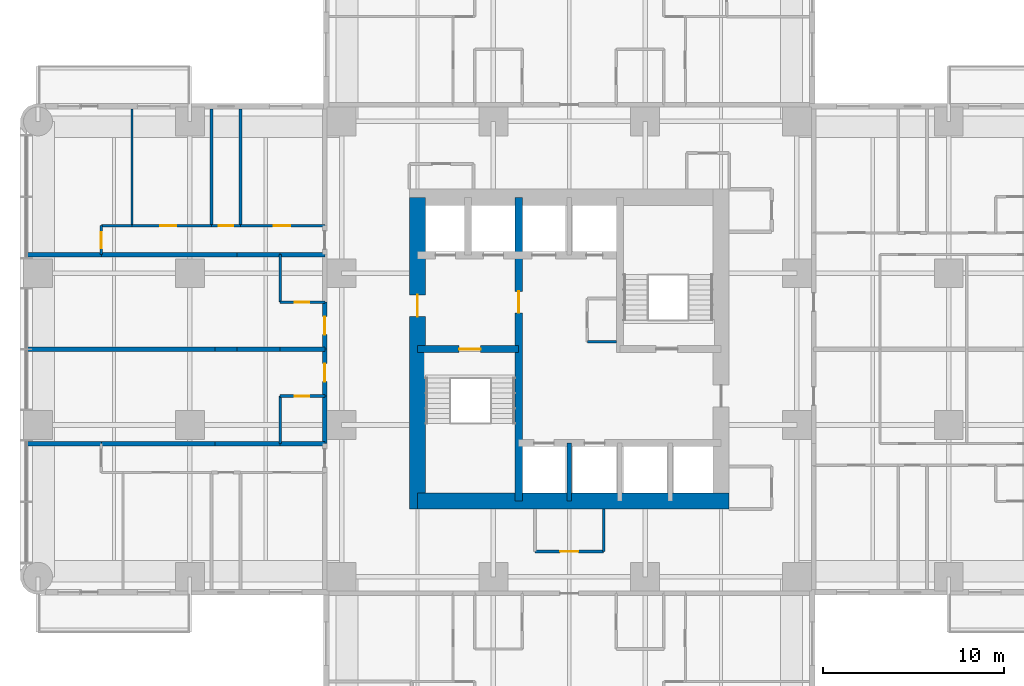
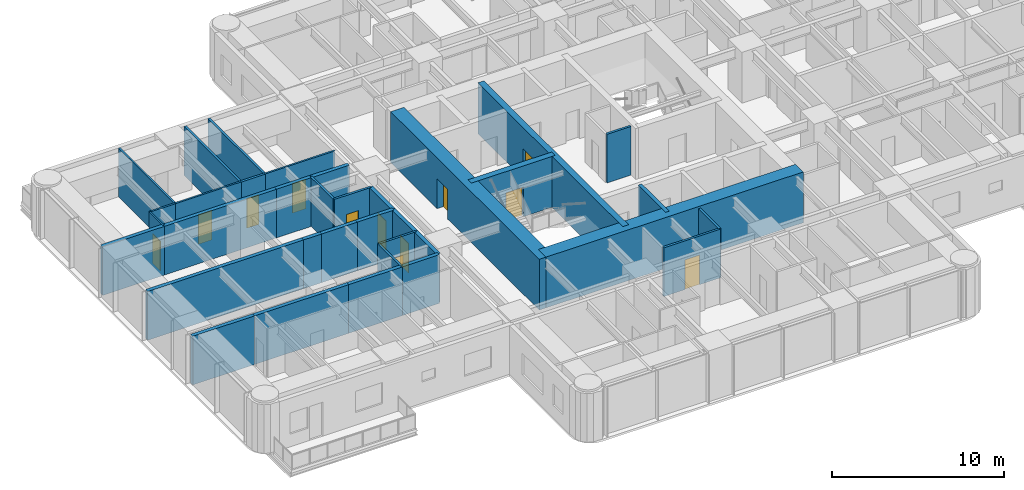
# One storey, part 7 of 14: 35 walls, 12 doors, 12 openings.
"""IFC4 building model written with IfcOpenShell, lengths in metres."""

from ifc_helpers import new_model, si_unit, direction, frame, frame_2d, origin, place, context, subcontext, project, spatial, rectangle, extrude, material, layer, layer_set, type_object, element, fill, save


model = new_model("IFC4")

# Units and contexts
model_context = context("Model", 3, precision=1e-05, world=origin(), true_north=direction((0.0, 1.0)))
body_context = subcontext(model_context, "Body", "Model", "MODEL_VIEW")
ifc_project = project(units=[si_unit("LENGTHUNIT", "METRE"), si_unit("AREAUNIT", "SQUARE_METRE"), si_unit("VOLUMEUNIT", "CUBIC_METRE"), si_unit("PLANEANGLEUNIT", "RADIAN"), si_unit("MASSUNIT", "GRAM", prefix="KILO")], contexts=[model_context])

# Site, building, storey
site_placement = place(None, origin())
site = spatial("IfcSite", under=ifc_project, at=site_placement, CompositionType="ELEMENT")
building_placement = place(site_placement, origin())
building = spatial("IfcBuilding", under=site, at=building_placement, Name="Torre Alcanfor", CompositionType="ELEMENT")
storey_placement = place(building_placement, frame((0.0, 0.0, 141.300048828125)))
storey = spatial("IfcBuildingStorey", under=building, at=storey_placement, Name="L36", CompositionType="ELEMENT", Elevation=141.300048828125)

# Wall, opening, door
ifc_material_1 = material(Name="Concrete block masonry, hollow blocks NMX-C-404 9 MPa", Category="masonry")
ifc_layer_1 = layer(ifc_material_1, 0.25)
ifc_layer_set_1 = layer_set([ifc_layer_1], Name="Apartment entrance wall 250 EI 60")
wall_type_1 = type_object("IfcWallType", Name="Apartment entrance wall 250 EI 60", PredefinedType="PARTITIONING", material=ifc_layer_set_1)
wall_1_placement = place(storey_placement, frame((15.875, 26.800048828125, 0.0), z_axis=(0.0, 0.0, 1.0), x_axis=(0.0, 1.0, 0.0)))
wall_1 = element("IfcWall", 1, at=wall_1_placement, inside=storey, type_object=wall_type_1, Name="Partition L36-CORR / L36-W1A-FOYER", PredefinedType="PARTITIONING", context=body_context, shape_type="SweptSolid", body=[
    extrude(rectangle(XDim=2.599853515625, YDim=0.25, at=frame_2d((1.2998046875, 0.0))), origin(), (0.0, 0.0, 1.0), 3.449951171875),
])
opening_1_placement = place(wall_1_placement, frame((0.800048828125, 0.0, 0.0)))
opening_1 = element("IfcOpeningElement", 2, at=opening_1_placement, cuts=wall_1, Name="Opening D-A1", PredefinedType="OPENING", context=body_context, shape_type="SweptSolid", body=[
    extrude(rectangle(XDim=1.0, YDim=2.10009765625, at=frame_2d((0.5, 1.050048828125))), frame((0.0, 0.135009765625, 0.0), z_axis=(0.0, -1.0, 0.0), x_axis=(1.0, 0.0, 0.0)), (0.0, 0.0, 1.0), 0.27001953125),
])
ifc_material_2 = material(Name="Galvanised steel sheet ASTM A653", Category="steel")
door_type_1 = type_object("IfcDoorType", Name="Apartment entrance door FD60 1000x2100", OperationType="SINGLE_SWING_LEFT", PredefinedType="DOOR", material=ifc_material_2)
door_1_placement = place(opening_1_placement, origin())
door_1 = element("IfcDoor", 3, at=door_1_placement, inside=storey, type_object=door_type_1, Name="Apartment entrance L36-W1A", OperationType="SINGLE_SWING_LEFT", OverallHeight=2.10009765625, OverallWidth=1.0, PredefinedType="DOOR", context=body_context, shape_type="SweptSolid", body=[
    extrude(rectangle(XDim=1.0, YDim=2.10009765625, at=frame_2d((0.5, 1.050048828125))), frame((0.0, 0.02490234375, 0.0), z_axis=(0.0, -1.0, 0.0), x_axis=(1.0, 0.0, 0.0)), (0.0, 0.0, 1.0), 0.050048828125),
])
fill(opening_1, door_1)

# Wall
wall_2_placement = place(storey_placement, frame((15.875, 24.1708984375, 0.0), z_axis=(0.0, 0.0, 1.0), x_axis=(0.0, 1.0, 0.0)))
element("IfcWall", 4, at=wall_2_placement, inside=storey, type_object=wall_type_1, Name="Partition L36-CORR / L36-W1A-BATH", PredefinedType="PARTITIONING", context=body_context, shape_type="SweptSolid", body=[
    extrude(rectangle(XDim=2.629150390625, YDim=0.25, at=frame_2d((1.314453125, 0.0))), origin(), (0.0, 0.0, 1.0), 3.449951171875),
])

# Wall, opening, door
wall_3_placement = place(storey_placement, frame((15.875, 29.39990234375, 0.0), z_axis=(0.0, 0.0, 1.0), x_axis=(0.0, 1.0, 0.0)))
wall_3 = element("IfcWall", 5, at=wall_3_placement, inside=storey, type_object=wall_type_1, Name="Partition L36-CORR / L36-W2A-FOYER", PredefinedType="PARTITIONING", context=body_context, shape_type="SweptSolid", body=[
    extrude(rectangle(XDim=2.60009765625, YDim=0.25, at=frame_2d((1.300048828125, 0.0))), origin(), (0.0, 0.0, 1.0), 3.449951171875),
])
opening_2_placement = place(wall_3_placement, frame((0.800048828125, 0.0, 0.0)))
opening_2 = element("IfcOpeningElement", 6, at=opening_2_placement, cuts=wall_3, Name="Opening D-A1", PredefinedType="OPENING", context=body_context, shape_type="SweptSolid", body=[
    extrude(rectangle(XDim=1.0, YDim=2.10009765625, at=frame_2d((0.5, 1.050048828125))), frame((0.0, 0.135009765625, 0.0), z_axis=(0.0, -1.0, 0.0), x_axis=(1.0, 0.0, 0.0)), (0.0, 0.0, 1.0), 0.27001953125),
])
door_2_placement = place(opening_2_placement, origin())
door_2 = element("IfcDoor", 7, at=door_2_placement, inside=storey, type_object=door_type_1, Name="Apartment entrance L36-W2A", OperationType="SINGLE_SWING_LEFT", OverallHeight=2.10009765625, OverallWidth=1.0, PredefinedType="DOOR", context=body_context, shape_type="SweptSolid", body=[
    extrude(rectangle(XDim=1.0, YDim=2.10009765625, at=frame_2d((0.5, 1.050048828125))), frame((0.0, 0.02490234375, 0.0), z_axis=(0.0, -1.0, 0.0), x_axis=(1.0, 0.0, 0.0)), (0.0, 0.0, 1.0), 0.050048828125),
])
fill(opening_2, door_2)

ifc_material_3 = material(Name="Gypsum board on steel studs", Category="steel")
ifc_layer_2 = layer(ifc_material_3, 0.1201171875)
ifc_layer_set_2 = layer_set([ifc_layer_2], Name="Apartment partition 120")
wall_type_2 = type_object("IfcWallType", Name="Apartment partition 120", PredefinedType="PARTITIONING", material=ifc_layer_set_2)
wall_4_placement = place(storey_placement, frame((11.199951171875, 36.22900390625, 0.0), z_axis=(0.0, 0.0, 1.0), x_axis=(1.0, 0.0, 0.0)))
wall_4 = element("IfcWall", 8, at=wall_4_placement, inside=storey, type_object=wall_type_2, Name="Partition L36-W2B-HALL / L36-W2B-MASTER", PredefinedType="PARTITIONING", context=body_context, shape_type="SweptSolid", body=[
    extrude(rectangle(XDim=4.675048828125, YDim=0.1201171875, at=frame_2d((2.33740234375, 0.0))), origin(), (0.0, 0.0, 1.0), 3.449951171875),
])
opening_3_placement = place(wall_4_placement, frame((1.85009765625, 0.0, 0.0)))
opening_3 = element("IfcOpeningElement", 9, at=opening_3_placement, cuts=wall_4, Name="Opening D-R1", PredefinedType="OPENING", context=body_context, shape_type="SweptSolid", body=[
    extrude(rectangle(XDim=0.89990234375, YDim=2.10009765625, at=frame_2d((0.449951171875, 1.050048828125))), frame((0.0, 0.070068359375, 0.0), z_axis=(0.0, -1.0, 0.0), x_axis=(1.0, 0.0, 0.0)), (0.0, 0.0, 1.0), 0.14013671875),
])
ifc_material_4 = material(Name="Timber", Category="wood")
door_type_2 = type_object("IfcDoorType", Name="Internal door 900x2100", OperationType="SINGLE_SWING_LEFT", PredefinedType="DOOR", material=ifc_material_4)
door_3_placement = place(opening_3_placement, origin())
door_3 = element("IfcDoor", 10, at=door_3_placement, inside=storey, type_object=door_type_2, Name="Door L36-W2B master", OperationType="SINGLE_SWING_LEFT", OverallHeight=2.10009765625, OverallWidth=0.89990234375, PredefinedType="DOOR", context=body_context, shape_type="SweptSolid", body=[
    extrude(rectangle(XDim=0.89990234375, YDim=2.10009765625, at=frame_2d((0.449951171875, 1.050048828125))), frame((0.0, 0.02490234375, 0.0), z_axis=(0.0, -1.0, 0.0), x_axis=(1.0, 0.0, 0.0)), (0.0, 0.0, 1.0), 0.050048828125),
])
fill(opening_3, door_3)

wall_5_placement = place(storey_placement, frame((5.199951171875, 36.22900390625, 0.0), z_axis=(0.0, 0.0, 1.0), x_axis=(1.0, 0.0, 0.0)))
wall_5 = element("IfcWall", 11, at=wall_5_placement, inside=storey, type_object=wall_type_2, Name="Partition L36-W2B-HALL / L36-W2B-STUDY", PredefinedType="PARTITIONING", context=body_context, shape_type="SweptSolid", body=[
    extrude(rectangle(XDim=4.400146484375, YDim=0.1201171875, at=frame_2d((2.2001953125, 0.0))), origin(), (0.0, 0.0, 1.0), 3.449951171875),
])
opening_4_placement = place(wall_5_placement, frame((1.550048828125, 0.0, 0.0)))
opening_4 = element("IfcOpeningElement", 12, at=opening_4_placement, cuts=wall_5, Name="Opening D-R1", PredefinedType="OPENING", context=body_context, shape_type="SweptSolid", body=[
    extrude(rectangle(XDim=0.89990234375, YDim=2.10009765625, at=frame_2d((0.449951171875, 1.050048828125))), frame((0.0, 0.070068359375, 0.0), z_axis=(0.0, -1.0, 0.0), x_axis=(1.0, 0.0, 0.0)), (0.0, 0.0, 1.0), 0.14013671875),
])
door_4_placement = place(opening_4_placement, origin())
door_4 = element("IfcDoor", 13, at=door_4_placement, inside=storey, type_object=door_type_2, Name="Door L36-W2B study", OperationType="SINGLE_SWING_LEFT", OverallHeight=2.10009765625, OverallWidth=0.89990234375, PredefinedType="DOOR", context=body_context, shape_type="SweptSolid", body=[
    extrude(rectangle(XDim=0.89990234375, YDim=2.10009765625, at=frame_2d((0.449951171875, 1.050048828125))), frame((0.0, 0.02490234375, 0.0), z_axis=(0.0, -1.0, 0.0), x_axis=(1.0, 0.0, 0.0)), (0.0, 0.0, 1.0), 0.050048828125),
])
fill(opening_4, door_4)

# Wall
wall_6_placement = place(storey_placement, frame((3.5, 36.22900390625, 0.0), z_axis=(0.0, 0.0, 1.0), x_axis=(1.0, 0.0, 0.0)))
element("IfcWall", 14, at=wall_6_placement, inside=storey, type_object=wall_type_2, Name="Partition L36-W2B-HALL / L36-W2B-KITCHEN", PredefinedType="PARTITIONING", context=body_context, shape_type="SweptSolid", body=[
    extrude(rectangle(XDim=1.699951171875, YDim=0.1201171875, at=frame_2d((0.85009765625, 0.0))), origin(), (0.0, 0.0, 1.0), 3.449951171875),
])

# Wall, opening, door
wall_7_placement = place(storey_placement, frame((3.5, 34.62890625, 0.0), z_axis=(0.0, 0.0, 1.0), x_axis=(0.0, 1.0, 0.0)))
wall_7 = element("IfcWall", 15, at=wall_7_placement, inside=storey, type_object=wall_type_2, Name="Partition L36-W2B-HALL / L36-W2B-LIVING", PredefinedType="PARTITIONING", context=body_context, shape_type="SweptSolid", body=[
    extrude(rectangle(XDim=1.60009765625, YDim=0.1201171875, at=frame_2d((0.800048828125, 0.0))), origin(), (0.0, 0.0, 1.0), 3.449951171875),
])
opening_5_placement = place(wall_7_placement, frame((0.35009765625, 0.0, 0.0)))
opening_5 = element("IfcOpeningElement", 16, at=opening_5_placement, cuts=wall_7, Name="Opening D-R1", PredefinedType="OPENING", context=body_context, shape_type="SweptSolid", body=[
    extrude(rectangle(XDim=0.89990234375, YDim=2.10009765625, at=frame_2d((0.449951171875, 1.050048828125))), frame((0.0, 0.070068359375, 0.0), z_axis=(0.0, -1.0, 0.0), x_axis=(1.0, 0.0, 0.0)), (0.0, 0.0, 1.0), 0.14013671875),
])
door_5_placement = place(opening_5_placement, origin())
door_5 = element("IfcDoor", 17, at=door_5_placement, inside=storey, type_object=door_type_2, Name="Door L36-W2B living", OperationType="SINGLE_SWING_LEFT", OverallHeight=2.10009765625, OverallWidth=0.89990234375, PredefinedType="DOOR", context=body_context, shape_type="SweptSolid", body=[
    extrude(rectangle(XDim=0.89990234375, YDim=2.10009765625, at=frame_2d((0.449951171875, 1.050048828125))), frame((0.0, 0.02490234375, 0.0), z_axis=(0.0, -1.0, 0.0), x_axis=(1.0, 0.0, 0.0)), (0.0, 0.0, 1.0), 0.050048828125),
])
fill(opening_5, door_5)

# Wall
wall_8_placement = place(storey_placement, frame((5.199951171875, 36.22900390625, 0.0), z_axis=(0.0, 0.0, 1.0), x_axis=(0.0, 1.0, 0.0)))
element("IfcWall", 18, at=wall_8_placement, inside=storey, type_object=wall_type_2, Name="Partition L36-W2B-STUDY / L36-W2B-KITCHEN", PredefinedType="PARTITIONING", context=body_context, shape_type="SweptSolid", body=[
    extrude(rectangle(XDim=6.470947265625, YDim=0.1201171875, at=frame_2d((3.2353515625, 0.0))), origin(), (0.0, 0.0, 1.0), 3.449951171875),
])

# Wall, opening, door
ifc_material_5 = material(Name="Concrete f'c 70 MPa", Category="concrete")
ifc_layer_3 = layer(ifc_material_5, 0.39990234375)
ifc_layer_set_3 = layer_set([ifc_layer_3], Name="Core inner wall 400 f'c70")
wall_type_3 = type_object("IfcWallType", Name="Core inner wall 400 f'c70", PredefinedType="SHEAR", material=ifc_layer_set_3)
wall_9_placement = place(storey_placement, frame((26.60009765625, 21.0, 0.0), z_axis=(0.0, 0.0, 1.0), x_axis=(0.0, 1.0, 0.0)))
wall_9 = element("IfcWall", 19, at=wall_9_placement, inside=storey, type_object=wall_type_3, Name="Core wall X266 L36", PredefinedType="SHEAR", context=body_context, shape_type="SweptSolid", body=[
    extrude(rectangle(XDim=16.800048828125, YDim=0.39990234375, at=frame_2d((8.39990234375, 0.0))), origin(), (0.0, 0.0, 1.0), 3.599853515625),
])
opening_6_placement = place(wall_9_placement, frame((10.39990234375, 0.0, 0.0)))
opening_6 = element("IfcOpeningElement", 20, at=opening_6_placement, cuts=wall_9, Name="Opening D-L1", PredefinedType="OPENING", context=body_context, shape_type="SweptSolid", body=[
    extrude(rectangle(XDim=1.199951171875, YDim=2.10009765625, at=frame_2d((0.60009765625, 1.050048828125))), frame((0.0, 0.2099609375, 0.0), z_axis=(0.0, -1.0, 0.0), x_axis=(1.0, 0.0, 0.0)), (0.0, 0.0, 1.0), 0.419921875),
])
ifc_material_6 = material(Name="Galvanised steel sheet ASTM A653", Category="steel")
door_type_3 = type_object("IfcDoorType", Name="Lobby door FD120 1200x2100", OperationType="SINGLE_SWING_LEFT", PredefinedType="DOOR", material=ifc_material_6)
door_6_placement = place(opening_6_placement, origin())
door_6 = element("IfcDoor", 21, at=door_6_placement, inside=storey, type_object=door_type_3, Name="Lift lobby door L36", OperationType="SINGLE_SWING_LEFT", OverallHeight=2.10009765625, OverallWidth=1.199951171875, PredefinedType="DOOR", context=body_context, shape_type="SweptSolid", body=[
    extrude(rectangle(XDim=1.199951171875, YDim=2.10009765625, at=frame_2d((0.60009765625, 1.050048828125))), frame((0.0, 0.02490234375, 0.0), z_axis=(0.0, -1.0, 0.0), x_axis=(1.0, 0.0, 0.0)), (0.0, 0.0, 1.0), 0.050048828125),
])
fill(opening_6, door_6)

wall_10_placement = place(storey_placement, frame((21.0, 29.39990234375, 0.0), z_axis=(0.0, 0.0, 1.0), x_axis=(1.0, 0.0, 0.0)))
wall_10 = element("IfcWall", 22, at=wall_10_placement, inside=storey, type_object=wall_type_3, Name="Core wall Y294W L36", PredefinedType="SHEAR", context=body_context, shape_type="SweptSolid", body=[
    extrude(rectangle(XDim=5.60009765625, YDim=0.39990234375, at=frame_2d((2.800048828125, 0.0))), origin(), (0.0, 0.0, 1.0), 3.599853515625),
])
opening_7_placement = place(wall_10_placement, frame((2.300048828125, 0.0, 0.0)))
opening_7 = element("IfcOpeningElement", 23, at=opening_7_placement, cuts=wall_10, Name="Opening D-S2", PredefinedType="OPENING", context=body_context, shape_type="SweptSolid", body=[
    extrude(rectangle(XDim=1.199951171875, YDim=2.10009765625, at=frame_2d((0.60009765625, 1.050048828125))), frame((0.0, 0.2099609375, 0.0), z_axis=(0.0, -1.0, 0.0), x_axis=(1.0, 0.0, 0.0)), (0.0, 0.0, 1.0), 0.419921875),
])
ifc_material_7 = material(Name="Galvanised steel sheet ASTM A653", Category="steel")
door_type_4 = type_object("IfcDoorType", Name="Stair enclosure door FD120 1200x2100", OperationType="SINGLE_SWING_LEFT", PredefinedType="DOOR", material=ifc_material_7)
door_7_placement = place(opening_7_placement, frame((1.199951171875, 0.0, 0.0), z_axis=(0.0, 0.0, 1.0), x_axis=(-1.0, 0.0, 0.0)))
door_7 = element("IfcDoor", 24, at=door_7_placement, inside=storey, type_object=door_type_4, Name="Stair S1 door L36", OperationType="SINGLE_SWING_LEFT", OverallHeight=2.10009765625, OverallWidth=1.199951171875, PredefinedType="DOOR", context=body_context, shape_type="SweptSolid", body=[
    extrude(rectangle(XDim=1.199951171875, YDim=2.10009765625, at=frame_2d((0.599853515625, 1.050048828125))), frame((0.0, 0.025146484375, 0.0), z_axis=(0.0, -1.0, 0.0), x_axis=(1.0, 0.0, 0.0)), (0.0, 0.0, 1.0), 0.050048828125),
])
fill(opening_7, door_7)

# Walls
ifc_material_8 = material(Name="Concrete f'c 70 MPa", Category="concrete")
ifc_layer_4 = layer(ifc_material_8, 0.25)
ifc_layer_set_4 = layer_set([ifc_layer_4], Name="Core shaft wall 250 f'c70")
wall_type_4 = type_object("IfcWallType", Name="Core shaft wall 250 f'c70", PredefinedType="SHEAR", material=ifc_layer_set_4)
wall_11_placement = place(storey_placement, frame((29.39990234375, 21.0, 0.0), z_axis=(0.0, 0.0, 1.0), x_axis=(0.0, 1.0, 0.0)))
element("IfcWall", 25, at=wall_11_placement, inside=storey, type_object=wall_type_4, Name="Core wall X294S L36", PredefinedType="SHEAR", context=body_context, shape_type="SweptSolid", body=[
    extrude(rectangle(XDim=3.199951171875, YDim=0.25, at=frame_2d((1.60009765625, 0.0))), origin(), (0.0, 0.0, 1.0), 3.599853515625),
])
ifc_material_9 = material(Name="Concrete f'c 70 MPa", Category="concrete")
ifc_layer_5 = layer(ifc_material_9, 0.89990234375)
ifc_layer_set_5 = layer_set([ifc_layer_5], Name="Core wall 900 f'c70")
wall_type_5 = type_object("IfcWallType", Name="Core wall 900 f'c70", PredefinedType="SHEAR", material=ifc_layer_set_5)
wall_12_placement = place(storey_placement, frame((21.0, 21.0, 0.0), z_axis=(0.0, 0.0, 1.0), x_axis=(1.0, 0.0, 0.0)))
element("IfcWall", 26, at=wall_12_placement, inside=storey, type_object=wall_type_5, Name="Core wall OUT-S L36", PredefinedType="SHEAR", context=body_context, shape_type="SweptSolid", body=[
    extrude(rectangle(XDim=17.25, YDim=0.89990234375, at=frame_2d((8.625, 0.0))), origin(), (0.0, 0.0, 1.0), 3.599853515625),
])

# Wall, opening, door
wall_13_placement = place(storey_placement, frame((21.0, 37.800048828125, 0.0), z_axis=(0.0, 0.0, 1.0), x_axis=(0.0, -1.0, 0.0)))
wall_13 = element("IfcWall", 27, at=wall_13_placement, inside=storey, type_object=wall_type_5, Name="Core wall OUT-W L36", PredefinedType="SHEAR", context=body_context, shape_type="SweptSolid", body=[
    extrude(rectangle(XDim=17.25, YDim=0.89990234375, at=frame_2d((8.625, 0.0))), origin(), (0.0, 0.0, 1.0), 3.599853515625),
])
opening_8_placement = place(wall_13_placement, frame((5.39990234375, 0.0, 0.0)))
opening_8 = element("IfcOpeningElement", 28, at=opening_8_placement, cuts=wall_13, Name="Opening D-L1", PredefinedType="OPENING", context=body_context, shape_type="SweptSolid", body=[
    extrude(rectangle(XDim=1.199951171875, YDim=2.10009765625, at=frame_2d((0.60009765625, 1.050048828125))), frame((0.0, 0.4599609375, 0.0), z_axis=(0.0, -1.0, 0.0), x_axis=(1.0, 0.0, 0.0)), (0.0, 0.0, 1.0), 0.919921875),
])
door_8_placement = place(opening_8_placement, origin())
door_8 = element("IfcDoor", 29, at=door_8_placement, inside=storey, type_object=door_type_3, Name="Firefighting lobby door L36", OperationType="SINGLE_SWING_LEFT", OverallHeight=2.10009765625, OverallWidth=1.199951171875, PredefinedType="DOOR", context=body_context, shape_type="SweptSolid", body=[
    extrude(rectangle(XDim=1.199951171875, YDim=2.10009765625, at=frame_2d((0.60009765625, 1.050048828125))), frame((0.0, 0.02490234375, 0.0), z_axis=(0.0, -1.0, 0.0), x_axis=(1.0, 0.0, 0.0)), (0.0, 0.0, 1.0), 0.050048828125),
])
fill(opening_8, door_8)

# Walls
ifc_material_10 = material(Name="Concrete block masonry, hollow blocks NMX-C-404 9 MPa", Category="masonry")
ifc_layer_6 = layer(ifc_material_10, 0.25)
ifc_layer_set_6 = layer_set([ifc_layer_6], Name="Party wall 250 EI 60")
wall_type_6 = type_object("IfcWallType", Name="Party wall 250 EI 60", PredefinedType="PARTITIONING", material=ifc_layer_set_6)
for number, where, z_axis, x_axis, name in (
    (30, (15.875, 29.39990234375, 0.0), (0.0, 0.0, 1.0), (-1.0, 0.0, 0.0), "Partition L36-W1A-FOYER / L36-W2A-FOYER"),
    (31, (13.39990234375, 24.1708984375, 0.0), (0.0, 0.0, 1.0), (1.0, 0.0, 0.0), "Partition L36-W1A-BATH / L36-W1B-HALL"),
):
    element("IfcWall", number, at=place(storey_placement, frame(where, z_axis=z_axis, x_axis=x_axis)), inside=storey, type_object=wall_type_6, Name=name, PredefinedType="PARTITIONING", context=body_context, shape_type="SweptSolid", body=[
        extrude(rectangle(XDim=2.47509765625, YDim=0.25, at=frame_2d((1.237548828125, 0.0))), origin(), (0.0, 0.0, 1.0), 3.449951171875),
    ])
wall_14_placement = place(storey_placement, frame((9.800048828125, 24.1708984375, 0.0), z_axis=(0.0, 0.0, 1.0), x_axis=(1.0, 0.0, 0.0)))
element("IfcWall", 32, at=wall_14_placement, inside=storey, type_object=wall_type_6, Name="Partition L36-W1A-KITCHEN / L36-W1B-HALL", PredefinedType="PARTITIONING", context=body_context, shape_type="SweptSolid", body=[
    extrude(rectangle(XDim=3.599853515625, YDim=0.25, at=frame_2d((1.7998046875, 0.0))), origin(), (0.0, 0.0, 1.0), 3.449951171875),
])
wall_15_placement = place(storey_placement, frame((13.39990234375, 29.39990234375, 0.0), z_axis=(0.0, 0.0, 1.0), x_axis=(-1.0, 0.0, 0.0)))
element("IfcWall", 33, at=wall_15_placement, inside=storey, type_object=wall_type_6, Name="Partition L36-W1A-KITCHEN / L36-W2A-KITCHEN", PredefinedType="PARTITIONING", context=body_context, shape_type="SweptSolid", body=[
    extrude(rectangle(XDim=2.39990234375, YDim=0.25, at=frame_2d((1.199951171875, 0.0))), origin(), (0.0, 0.0, 1.0), 3.449951171875),
])
wall_16_placement = place(storey_placement, frame((11.0, 29.39990234375, 0.0), z_axis=(0.0, 0.0, 1.0), x_axis=(-1.0, 0.0, 0.0)))
element("IfcWall", 34, at=wall_16_placement, inside=storey, type_object=wall_type_6, Name="Partition L36-W1A-KITCHEN / L36-W2A-STUDIO", PredefinedType="PARTITIONING", context=body_context, shape_type="SweptSolid", body=[
    extrude(rectangle(XDim=1.199951171875, YDim=0.25, at=frame_2d((0.60009765625, 0.0))), origin(), (0.0, 0.0, 1.0), 3.449951171875),
])
wall_17_placement = place(storey_placement, frame((3.5, 24.1708984375, 0.0), z_axis=(0.0, 0.0, 1.0), x_axis=(1.0, 0.0, 0.0)))
element("IfcWall", 35, at=wall_17_placement, inside=storey, type_object=wall_type_6, Name="Partition L36-W1A-STUDIO / L36-W1B-HALL", PredefinedType="PARTITIONING", context=body_context, shape_type="SweptSolid", body=[
    extrude(rectangle(XDim=6.300048828125, YDim=0.25, at=frame_2d((3.14990234375, 0.0))), origin(), (0.0, 0.0, 1.0), 3.449951171875),
])
wall_18_placement = place(storey_placement, frame((-0.64990234375, 24.1708984375, 0.0), z_axis=(0.0, 0.0, 1.0), x_axis=(1.0, 0.0, 0.0)))
element("IfcWall", 36, at=wall_18_placement, inside=storey, type_object=wall_type_6, Name="Partition L36-W1A-STUDIO / L36-W1B-LIVING", PredefinedType="PARTITIONING", context=body_context, shape_type="SweptSolid", body=[
    extrude(rectangle(XDim=4.14990234375, YDim=0.25, at=frame_2d((2.074951171875, 0.0))), origin(), (0.0, 0.0, 1.0), 3.449951171875),
])
wall_19_placement = place(storey_placement, frame((9.800048828125, 29.39990234375, 0.0), z_axis=(0.0, 0.0, 1.0), x_axis=(-1.0, 0.0, 0.0)))
element("IfcWall", 37, at=wall_19_placement, inside=storey, type_object=wall_type_6, Name="Partition L36-W1A-STUDIO / L36-W2A-STUDIO", PredefinedType="PARTITIONING", context=body_context, shape_type="SweptSolid", body=[
    extrude(rectangle(XDim=10.449951171875, YDim=0.25, at=frame_2d((5.22509765625, 0.0))), origin(), (0.0, 0.0, 1.0), 3.449951171875),
])
wall_20_placement = place(storey_placement, frame((13.39990234375, 34.62890625, 0.0), z_axis=(0.0, 0.0, 1.0), x_axis=(1.0, 0.0, 0.0)))
element("IfcWall", 38, at=wall_20_placement, inside=storey, type_object=wall_type_6, Name="Partition L36-W2A-BATH / L36-W2B-HALL", PredefinedType="PARTITIONING", context=body_context, shape_type="SweptSolid", body=[
    extrude(rectangle(XDim=2.47509765625, YDim=0.25, at=frame_2d((1.237548828125, 0.0))), origin(), (0.0, 0.0, 1.0), 3.449951171875),
])
wall_21_placement = place(storey_placement, frame((11.0, 34.62890625, 0.0), z_axis=(0.0, 0.0, 1.0), x_axis=(1.0, 0.0, 0.0)))
element("IfcWall", 39, at=wall_21_placement, inside=storey, type_object=wall_type_6, Name="Partition L36-W2A-KITCHEN / L36-W2B-HALL", PredefinedType="PARTITIONING", context=body_context, shape_type="SweptSolid", body=[
    extrude(rectangle(XDim=2.39990234375, YDim=0.25, at=frame_2d((1.199951171875, 0.0))), origin(), (0.0, 0.0, 1.0), 3.449951171875),
])
wall_22_placement = place(storey_placement, frame((3.5, 34.62890625, 0.0), z_axis=(0.0, 0.0, 1.0), x_axis=(1.0, 0.0, 0.0)))
element("IfcWall", 40, at=wall_22_placement, inside=storey, type_object=wall_type_6, Name="Partition L36-W2A-STUDIO / L36-W2B-HALL", PredefinedType="PARTITIONING", context=body_context, shape_type="SweptSolid", body=[
    extrude(rectangle(XDim=7.5, YDim=0.25, at=frame_2d((3.75, 0.0))), origin(), (0.0, 0.0, 1.0), 3.449951171875),
])
wall_23_placement = place(storey_placement, frame((-0.64990234375, 34.62890625, 0.0), z_axis=(0.0, 0.0, 1.0), x_axis=(1.0, 0.0, 0.0)))
element("IfcWall", 41, at=wall_23_placement, inside=storey, type_object=wall_type_6, Name="Partition L36-W2A-STUDIO / L36-W2B-LIVING", PredefinedType="PARTITIONING", context=body_context, shape_type="SweptSolid", body=[
    extrude(rectangle(XDim=4.14990234375, YDim=0.25, at=frame_2d((2.074951171875, 0.0))), origin(), (0.0, 0.0, 1.0), 3.449951171875),
])

# Wall, opening, door
ifc_material_11 = material(Name="Concrete block masonry, hollow blocks NMX-C-404 9 MPa", Category="masonry")
ifc_layer_7 = layer(ifc_material_11, 0.14990234375)
ifc_layer_set_7 = layer_set([ifc_layer_7], Name="Residents' room partition 150")
wall_type_7 = type_object("IfcWallType", Name="Residents' room partition 150", PredefinedType="PARTITIONING", material=ifc_layer_set_7)
wall_24_placement = place(storey_placement, frame((27.5, 18.199951171875, 0.0), z_axis=(0.0, 0.0, 1.0), x_axis=(1.0, 0.0, 0.0)))
wall_24 = element("IfcWall", 42, at=wall_24_placement, inside=storey, type_object=wall_type_7, Name="Partition L36-CORR / L36-G05", PredefinedType="PARTITIONING", context=body_context, shape_type="SweptSolid", body=[
    extrude(rectangle(XDim=3.800048828125, YDim=0.14990234375, at=frame_2d((1.89990234375, 0.0))), origin(), (0.0, 0.0, 1.0), 3.449951171875),
])
opening_9_placement = place(wall_24_placement, frame((1.39990234375, 0.0, 0.0)))
opening_9 = element("IfcOpeningElement", 43, at=opening_9_placement, cuts=wall_24, Name="Opening D-M1", PredefinedType="OPENING", context=body_context, shape_type="SweptSolid", body=[
    extrude(rectangle(XDim=1.0, YDim=2.10009765625, at=frame_2d((0.5, 1.050048828125))), frame((0.0, 0.0849609375, 0.0), z_axis=(0.0, -1.0, 0.0), x_axis=(1.0, 0.0, 0.0)), (0.0, 0.0, 1.0), 0.169921875),
])
ifc_material_12 = material(Name="Timber", Category="wood")
door_type_5 = type_object("IfcDoorType", Name="Residents' room door 1000x2100", OperationType="SINGLE_SWING_LEFT", PredefinedType="DOOR", material=ifc_material_12)
door_9_placement = place(opening_9_placement, origin())
door_9 = element("IfcDoor", 44, at=door_9_placement, inside=storey, type_object=door_type_5, Name="Door L36-G05 cleaners' store", OperationType="SINGLE_SWING_LEFT", OverallHeight=2.10009765625, OverallWidth=1.0, PredefinedType="DOOR", context=body_context, shape_type="SweptSolid", body=[
    extrude(rectangle(XDim=1.0, YDim=2.10009765625, at=frame_2d((0.5, 1.050048828125))), frame((0.0, 0.02490234375, 0.0), z_axis=(0.0, -1.0, 0.0), x_axis=(1.0, 0.0, 0.0)), (0.0, 0.0, 1.0), 0.050048828125),
])
fill(opening_9, door_9)

# Walls
wall_25_placement = place(storey_placement, frame((31.300048828125, 18.199951171875, 0.0), z_axis=(0.0, 0.0, 1.0), x_axis=(0.0, 1.0, 0.0)))
element("IfcWall", 45, at=wall_25_placement, inside=storey, type_object=wall_type_7, Name="Partition L36-CORR / L36-G05", PredefinedType="PARTITIONING", context=body_context, shape_type="SweptSolid", body=[
    extrude(rectangle(XDim=2.35009765625, YDim=0.14990234375, at=frame_2d((1.175048828125, 0.0))), origin(), (0.0, 0.0, 1.0), 3.449951171875),
])
wall_26_placement = place(storey_placement, frame((32.0, 29.800048828125, 0.0), z_axis=(0.0, 0.0, 1.0), x_axis=(-1.0, 0.0, 0.0)))
element("IfcWall", 46, at=wall_26_placement, inside=storey, type_object=wall_type_7, Name="Partition L36-LL / L36-CR1", PredefinedType="PARTITIONING", context=body_context, shape_type="SweptSolid", body=[
    extrude(rectangle(XDim=1.60009765625, YDim=0.14990234375, at=frame_2d((0.800048828125, 0.0))), origin(), (0.0, 0.0, 1.0), 3.449951171875),
])

# Wall, opening, door
ifc_material_13 = material(Name="Cement board on steel studs", Category="steel")
ifc_layer_8 = layer(ifc_material_13, 0.14990234375)
ifc_layer_set_8 = layer_set([ifc_layer_8], Name="Wet area partition 150")
wall_type_8 = type_object("IfcWallType", Name="Wet area partition 150", PredefinedType="PARTITIONING", material=ifc_layer_set_8)
wall_27_placement = place(storey_placement, frame((13.39990234375, 26.800048828125, 0.0), z_axis=(0.0, 0.0, 1.0), x_axis=(1.0, 0.0, 0.0)))
wall_27 = element("IfcWall", 47, at=wall_27_placement, inside=storey, type_object=wall_type_8, Name="Partition L36-W1A-FOYER / L36-W1A-BATH", PredefinedType="PARTITIONING", context=body_context, shape_type="SweptSolid", body=[
    extrude(rectangle(XDim=2.47509765625, YDim=0.14990234375, at=frame_2d((1.237548828125, 0.0))), origin(), (0.0, 0.0, 1.0), 3.449951171875),
])
opening_10_placement = place(wall_27_placement, frame((0.800048828125, 0.0, 0.0)))
opening_10 = element("IfcOpeningElement", 48, at=opening_10_placement, cuts=wall_27, Name="Opening D-R2", PredefinedType="OPENING", context=body_context, shape_type="SweptSolid", body=[
    extrude(rectangle(XDim=0.800048828125, YDim=2.10009765625, at=frame_2d((0.39990234375, 1.050048828125))), frame((0.0, 0.0849609375, 0.0), z_axis=(0.0, -1.0, 0.0), x_axis=(1.0, 0.0, 0.0)), (0.0, 0.0, 1.0), 0.169921875),
])
ifc_material_14 = material(Name="Timber", Category="wood")
door_type_6 = type_object("IfcDoorType", Name="Bathroom door 800x2100", OperationType="SINGLE_SWING_LEFT", PredefinedType="DOOR", material=ifc_material_14)
door_10_placement = place(opening_10_placement, frame((0.800048828125, 0.0, 0.0), z_axis=(0.0, 0.0, 1.0), x_axis=(-1.0, 0.0, 0.0)))
door_10 = element("IfcDoor", 49, at=door_10_placement, inside=storey, type_object=door_type_6, Name="Door L36-W1A bath", OperationType="SINGLE_SWING_RIGHT", OverallHeight=2.10009765625, OverallWidth=0.800048828125, PredefinedType="DOOR", context=body_context, shape_type="SweptSolid", body=[
    extrude(rectangle(XDim=0.800048828125, YDim=2.10009765625, at=frame_2d((0.400146484375, 1.050048828125))), frame((0.0, 0.025146484375, 0.0), z_axis=(0.0, -1.0, 0.0), x_axis=(1.0, 0.0, 0.0)), (0.0, 0.0, 1.0), 0.050048828125),
])
fill(opening_10, door_10)

# Wall
wall_28_placement = place(storey_placement, frame((13.39990234375, 26.800048828125, 0.0), z_axis=(0.0, 0.0, 1.0), x_axis=(0.0, -1.0, 0.0)))
element("IfcWall", 50, at=wall_28_placement, inside=storey, type_object=wall_type_8, Name="Partition L36-W1A-BATH / L36-W1A-KITCHEN", PredefinedType="PARTITIONING", context=body_context, shape_type="SweptSolid", body=[
    extrude(rectangle(XDim=2.629150390625, YDim=0.14990234375, at=frame_2d((1.314453125, 0.0))), origin(), (0.0, 0.0, 1.0), 3.449951171875),
])

# Wall, opening, door
wall_29_placement = place(storey_placement, frame((13.39990234375, 32.0, 0.0), z_axis=(0.0, 0.0, 1.0), x_axis=(1.0, 0.0, 0.0)))
wall_29 = element("IfcWall", 51, at=wall_29_placement, inside=storey, type_object=wall_type_8, Name="Partition L36-W2A-FOYER / L36-W2A-BATH", PredefinedType="PARTITIONING", context=body_context, shape_type="SweptSolid", body=[
    extrude(rectangle(XDim=2.47509765625, YDim=0.14990234375, at=frame_2d((1.237548828125, 0.0))), origin(), (0.0, 0.0, 1.0), 3.449951171875),
])
opening_11_placement = place(wall_29_placement, frame((0.800048828125, 0.0, 0.0)))
opening_11 = element("IfcOpeningElement", 52, at=opening_11_placement, cuts=wall_29, Name="Opening D-R2", PredefinedType="OPENING", context=body_context, shape_type="SweptSolid", body=[
    extrude(rectangle(XDim=0.800048828125, YDim=2.10009765625, at=frame_2d((0.39990234375, 1.050048828125))), frame((0.0, 0.0849609375, 0.0), z_axis=(0.0, -1.0, 0.0), x_axis=(1.0, 0.0, 0.0)), (0.0, 0.0, 1.0), 0.169921875),
])
door_11_placement = place(opening_11_placement, origin())
door_11 = element("IfcDoor", 53, at=door_11_placement, inside=storey, type_object=door_type_6, Name="Door L36-W2A bath", OperationType="SINGLE_SWING_LEFT", OverallHeight=2.10009765625, OverallWidth=0.800048828125, PredefinedType="DOOR", context=body_context, shape_type="SweptSolid", body=[
    extrude(rectangle(XDim=0.800048828125, YDim=2.10009765625, at=frame_2d((0.39990234375, 1.050048828125))), frame((0.0, 0.02490234375, 0.0), z_axis=(0.0, -1.0, 0.0), x_axis=(1.0, 0.0, 0.0)), (0.0, 0.0, 1.0), 0.050048828125),
])
fill(opening_11, door_11)

# Wall
wall_30_placement = place(storey_placement, frame((13.39990234375, 32.0, 0.0), z_axis=(0.0, 0.0, 1.0), x_axis=(0.0, 1.0, 0.0)))
element("IfcWall", 54, at=wall_30_placement, inside=storey, type_object=wall_type_8, Name="Partition L36-W2A-BATH / L36-W2A-KITCHEN", PredefinedType="PARTITIONING", context=body_context, shape_type="SweptSolid", body=[
    extrude(rectangle(XDim=2.62890625, YDim=0.14990234375, at=frame_2d((1.314453125, 0.0))), origin(), (0.0, 0.0, 1.0), 3.449951171875),
])

# Wall, opening, door
wall_31_placement = place(storey_placement, frame((9.60009765625, 36.22900390625, 0.0), z_axis=(0.0, 0.0, 1.0), x_axis=(1.0, 0.0, 0.0)))
wall_31 = element("IfcWall", 55, at=wall_31_placement, inside=storey, type_object=wall_type_8, Name="Partition L36-W2B-HALL / L36-W2B-BATH", PredefinedType="PARTITIONING", context=body_context, shape_type="SweptSolid", body=[
    extrude(rectangle(XDim=1.599853515625, YDim=0.14990234375, at=frame_2d((0.7998046875, 0.0))), origin(), (0.0, 0.0, 1.0), 3.449951171875),
])
opening_12_placement = place(wall_31_placement, frame((0.39990234375, 0.0, 0.0)))
opening_12 = element("IfcOpeningElement", 56, at=opening_12_placement, cuts=wall_31, Name="Opening D-R2", PredefinedType="OPENING", context=body_context, shape_type="SweptSolid", body=[
    extrude(rectangle(XDim=0.800048828125, YDim=2.10009765625, at=frame_2d((0.39990234375, 1.050048828125))), frame((0.0, 0.0849609375, 0.0), z_axis=(0.0, -1.0, 0.0), x_axis=(1.0, 0.0, 0.0)), (0.0, 0.0, 1.0), 0.169921875),
])
door_12_placement = place(opening_12_placement, origin())
door_12 = element("IfcDoor", 57, at=door_12_placement, inside=storey, type_object=door_type_6, Name="Door L36-W2B bath", OperationType="SINGLE_SWING_LEFT", OverallHeight=2.10009765625, OverallWidth=0.800048828125, PredefinedType="DOOR", context=body_context, shape_type="SweptSolid", body=[
    extrude(rectangle(XDim=0.800048828125, YDim=2.10009765625, at=frame_2d((0.39990234375, 1.050048828125))), frame((0.0, 0.02490234375, 0.0), z_axis=(0.0, -1.0, 0.0), x_axis=(1.0, 0.0, 0.0)), (0.0, 0.0, 1.0), 0.050048828125),
])
fill(opening_12, door_12)

# Walls
for number, where, z_axis, x_axis, name in (
    (58, (11.199951171875, 36.22900390625, 0.0), (0.0, 0.0, 1.0), (0.0, 1.0, 0.0), "Partition L36-W2B-MASTER / L36-W2B-BATH"),
    (59, (9.60009765625, 36.22900390625, 0.0), (0.0, 0.0, 1.0), (0.0, 1.0, 0.0), "Partition L36-W2B-BATH / L36-W2B-STUDY"),
):
    element("IfcWall", number, at=place(storey_placement, frame(where, z_axis=z_axis, x_axis=x_axis)), inside=storey, type_object=wall_type_8, Name=name, PredefinedType="PARTITIONING", context=body_context, shape_type="SweptSolid", body=[
        extrude(rectangle(XDim=6.470947265625, YDim=0.14990234375, at=frame_2d((3.2353515625, 0.0))), origin(), (0.0, 0.0, 1.0), 3.449951171875),
    ])

save(model, "model.ifc")
